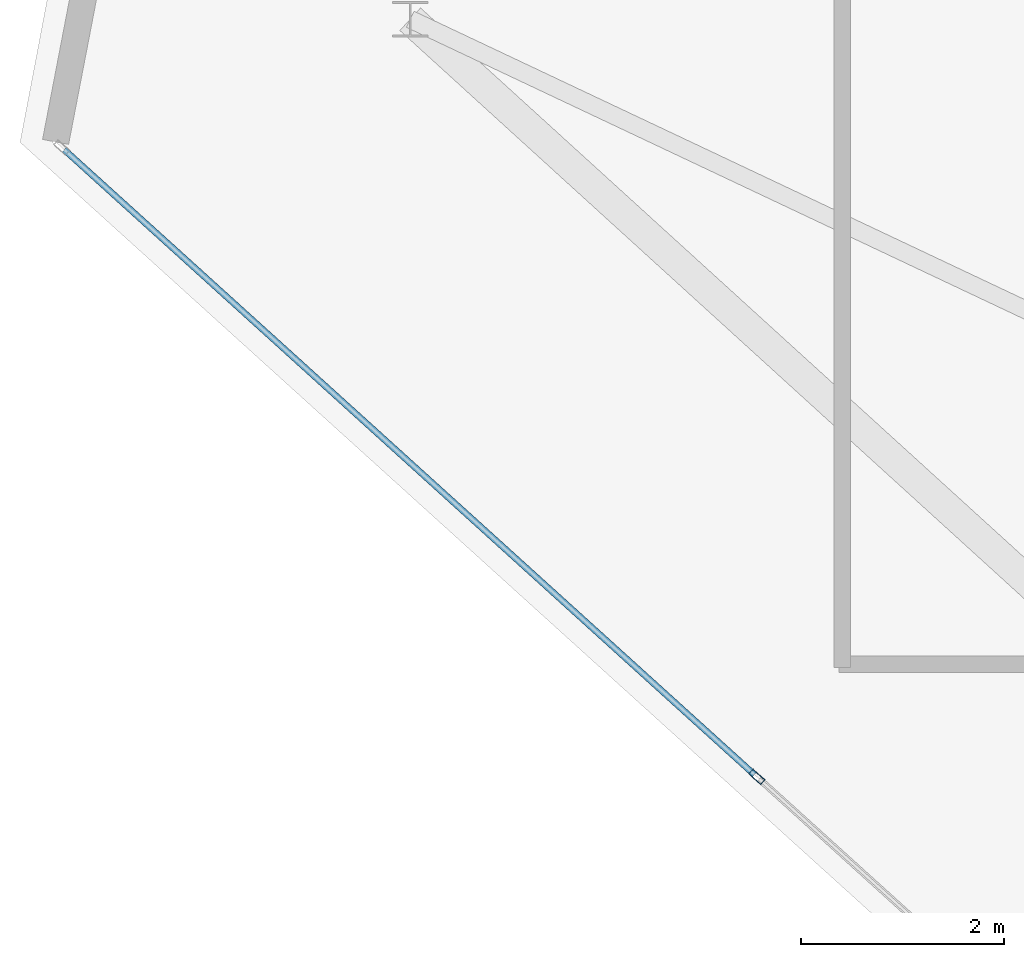
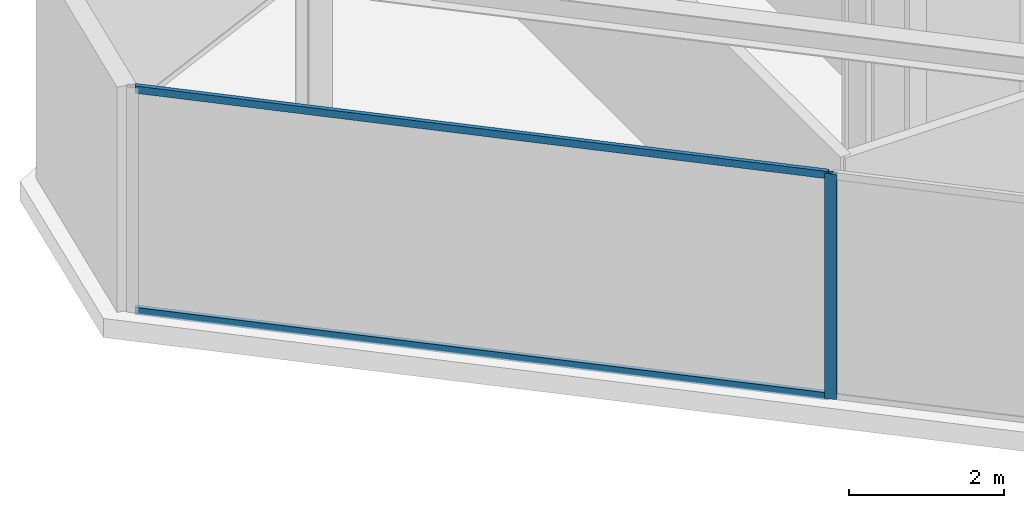
# One storey, part 3 of 14: 3 members, 1 element without a shape of its own.
"""IFC4 building model written with IfcOpenShell, lengths in metres."""

from ifc_helpers import new_model, si_unit, direction, frame, origin, origin_2d, place, context, subcontext, project, spatial, hollow_rectangle, extrude, material, layer, layer_set, material_profile, profile_set, type_object, element, aggregate, save


model = new_model("IFC4")

# Units and contexts
model_context = context("Model", 3, precision=1e-05, world=origin(), true_north=direction((0.0, 1.0)))
body_context = subcontext(model_context, "Body", "Model", "MODEL_VIEW")
ifc_project = project(units=[si_unit("LENGTHUNIT", "METRE"), si_unit("AREAUNIT", "SQUARE_METRE"), si_unit("VOLUMEUNIT", "CUBIC_METRE"), si_unit("PLANEANGLEUNIT", "RADIAN"), si_unit("MASSUNIT", "GRAM", prefix="KILO")], contexts=[model_context])

# Site, building, storey
site_placement = place(None, origin())
site = spatial("IfcSite", under=ifc_project, at=site_placement, CompositionType="ELEMENT")
building_placement = place(site_placement, origin())
building = spatial("IfcBuilding", under=site, at=building_placement, Name="Qianvela Tower", CompositionType="ELEMENT")
storey_placement = place(building_placement, frame((0.0, 0.0, 356.300048828125)))
storey = spatial("IfcBuildingStorey", under=building, at=storey_placement, Name="L92", CompositionType="ELEMENT", Elevation=356.300048828125)

# Curtain wall, members
ifc_material_1 = material(Name="Anodised Architectural Aluminium and Low-E Glass", Category="aluminium")
ifc_layer = layer(ifc_material_1, 0.159912109375)
ifc_layer_set = layer_set([ifc_layer], Name="Anodised Architectural Aluminium and Low-E Glass")
curtain_wall_type = type_object("IfcCurtainWallType", Name="CW-CROWN", PredefinedType="USERDEFINED", material=ifc_layer_set)
curtain_wall_placement = place(storey_placement, origin())
curtain_wall = element("IfcCurtainWall", 1, at=curtain_wall_placement, inside=storey, type_object=curtain_wall_type, Name="L92 CW-CROWN Curtain Wall 04", ObjectType="CURTAIN_WALL_SYSTEM", PredefinedType="USERDEFINED")
ifc_material_2 = material(Name="Anodised Architectural Aluminium 6063-T6", Category="aluminium")
ifc_material_profile_1 = material_profile(ifc_material_2, hollow_rectangle(XDim=0.06494140625, YDim=0.159912109375, WallThickness=0.0048828125, at=origin_2d()), Name="ALU-MULL-65x160")
ifc_profile_set_1 = profile_set([ifc_material_profile_1], Name="Anodised Architectural Aluminium 6063-T6")
member_type_1 = type_object("IfcMemberType", Name="CW-CROWN-MULL", PredefinedType="MULLION", material=ifc_profile_set_1)
member_1_placement = place(storey_placement, frame((25.39111328125, 19.52294921875, 0.0), z_axis=(0.0, 0.0, 1.0), x_axis=(0.671201978645, 0.741274513162, 0.0)))
member_1 = element("IfcMember", 2, at=member_1_placement, type_object=member_type_1, Name="CW-8 mullion 2", PredefinedType="MULLION", context=body_context, shape_type="SweptSolid", body=[
    extrude(hollow_rectangle(XDim=0.06494140625, YDim=0.159912109375, WallThickness=0.0048828125, at=origin_2d()), origin(), (0.0, 0.0, 1.0), 3.550048828125),
])
ifc_material_3 = material(Name="Anodised Architectural Aluminium 6063-T6", Category="aluminium")
ifc_material_profile_2 = material_profile(ifc_material_3, hollow_rectangle(XDim=0.06005859375, YDim=0.114990234375, WallThickness=0.00390625, at=origin_2d()), Name="ALU-TRAN-60x115")
ifc_profile_set_2 = profile_set([ifc_material_profile_2], Name="Anodised Architectural Aluminium 6063-T6")
member_type_2 = type_object("IfcMemberType", Name="CW-CROWN-TRAN", PredefinedType="USERDEFINED", material=ifc_profile_set_2)
member_2_placement = place(storey_placement, frame((18.5771484375, 25.692626953125, 0.030029296875), z_axis=(0.741274932467, -0.671201515565, 0.0), x_axis=(0.671201515565, 0.741274932467, 0.0)))
member_2 = element("IfcMember", 3, at=member_2_placement, type_object=member_type_2, Name="CW-8 transom 1.1", ObjectType="TRANSOM", PredefinedType="USERDEFINED", context=body_context, shape_type="SweptSolid", body=[
    extrude(hollow_rectangle(XDim=0.06005859375, YDim=0.114990234375, WallThickness=0.00390625, at=origin_2d()), origin(), (0.0, 0.0, 1.0), 9.15966796875),
])
member_3_placement = place(storey_placement, frame((18.5771484375, 25.692626953125, 3.52001953125), z_axis=(0.741274932467, -0.671201515565, 0.0), x_axis=(0.671201515565, 0.741274932467, 0.0)))
member_3 = element("IfcMember", 4, at=member_3_placement, type_object=member_type_2, Name="CW-8 transom 1.2", ObjectType="TRANSOM", PredefinedType="USERDEFINED", context=body_context, shape_type="SweptSolid", body=[
    extrude(hollow_rectangle(XDim=0.06005859375, YDim=0.114990234375, WallThickness=0.00390625, at=origin_2d()), origin(), (0.0, 0.0, 1.0), 9.15966796875),
])
aggregate(curtain_wall, [member_1, member_2, member_3])

save(model, "model.ifc")
